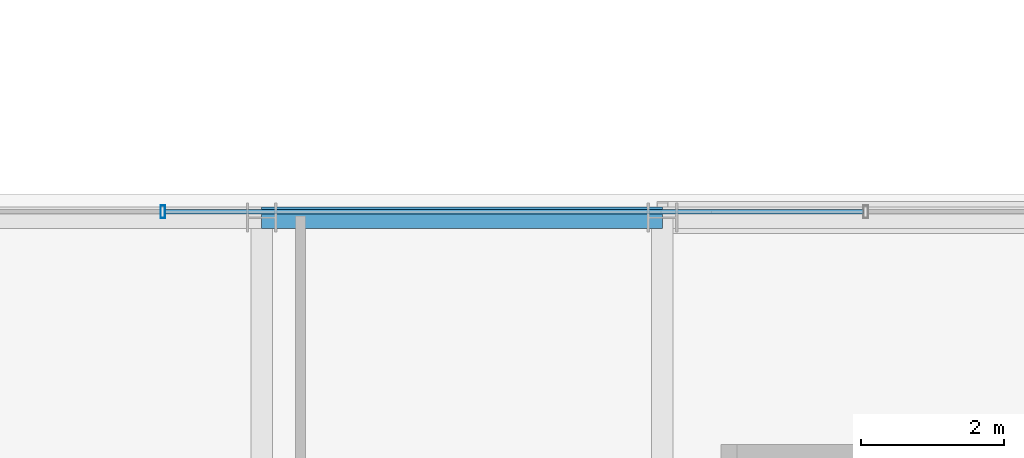
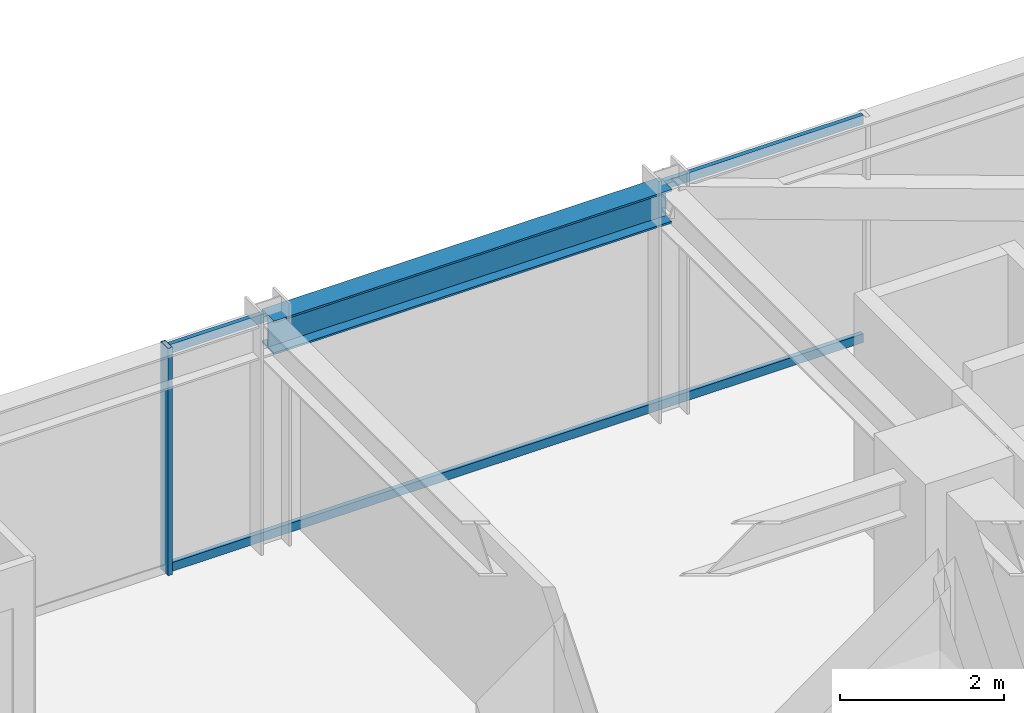
# One storey, part 21 of 34: 3 members, 1 beam, 1 element without a shape of its own.
"""IFC4 building model written with IfcOpenShell, lengths in metres."""

from ifc_helpers import new_model, si_unit, direction, frame, origin, origin_2d, place, context, subcontext, project, spatial, hollow_rectangle, i_section, extrude, source, transform, mapped, material, material_profile, profile_set, type_object, element, aggregate, save


model = new_model("IFC4")

# Units and contexts
model_context = context("Model", 3, precision=1e-05, world=origin(), true_north=direction((0.0, 1.0)))
body_context = subcontext(model_context, "Body", "Model", "MODEL_VIEW")
ifc_project = project(units=[si_unit("LENGTHUNIT", "METRE"), si_unit("AREAUNIT", "SQUARE_METRE"), si_unit("VOLUMEUNIT", "CUBIC_METRE"), si_unit("PLANEANGLEUNIT", "RADIAN"), si_unit("MASSUNIT", "GRAM", prefix="KILO")], contexts=[model_context])

# Site, building, storey
site_placement = place(None, origin())
site = spatial("IfcSite", under=ifc_project, at=site_placement, CompositionType="ELEMENT")
building_placement = place(site_placement, origin())
building = spatial("IfcBuilding", under=site, at=building_placement, Name="Nahalor Promenade Grand Hotel", CompositionType="ELEMENT")
storey_placement = place(building_placement, frame((0.0, 0.0, 128.449951171875)))
storey = spatial("IfcBuildingStorey", under=building, at=storey_placement, Name="L32", CompositionType="ELEMENT", Elevation=128.449951171875)

# Beam
ifc_material_1 = material(Name="Steel S355JR", Category="steel")
ifc_material_profile_1 = material_profile(ifc_material_1, i_section(OverallWidth=0.3, OverallDepth=0.5, WebThickness=0.0145, FlangeThickness=0.028, at=origin_2d()), Name="HEB 500")
ifc_profile_set_1 = profile_set([ifc_material_profile_1], Name="Steel S355JR")
beam_type = type_object("IfcBeamType", Name="Beam-Spandrel-HEB500", PredefinedType="SPANDREL", material=ifc_profile_set_1)
shared_shape_1 = source(origin(), body_context, "Body", "SweptSolid", [
    extrude(i_section(OverallWidth=0.3, OverallDepth=0.5, WebThickness=0.0145, FlangeThickness=0.028, at=origin_2d()), origin(), (0.0, 0.0, 1.0), 5.599853515625),
])
beam_placement = place(storey_placement, frame((2.800048828125, 23.780029296875, 3.130126953125), z_axis=(1.0, 0.0, 0.0), x_axis=(0.0, 1.0, 0.0)))
element("IfcBeam", 1, at=beam_placement, inside=storey, type_object=beam_type, Name="BM-L32-SP-N-3", PredefinedType="SPANDREL", context=body_context, shape_type="MappedRepresentation", body=[
    mapped(shared_shape_1, transform((0.0, 0.0, 0.0), scale=1.0)),
])

# Curtain wall, members
ifc_material_2 = material(Name="Anodised Bronze Aluminium EN AW-6063 T6", Category="aluminium")
curtain_wall_type = type_object("IfcCurtainWallType", Name="CW2 Typical Hotel Flush Bronze Unitised Curtain Wall", PredefinedType="USERDEFINED", material=ifc_material_2)
curtain_wall_placement = place(storey_placement, origin())
curtain_wall = element("IfcCurtainWall", 2, at=curtain_wall_placement, inside=storey, type_object=curtain_wall_type, Name="L32 Curtain Wall CW-L32-N-3", ObjectType="UNITISED_CURTAIN_WALL", PredefinedType="USERDEFINED")
ifc_material_profile_2 = material_profile(ifc_material_2, hollow_rectangle(XDim=0.065, YDim=0.13, WallThickness=0.004, at=origin_2d()), Name="CWT 65x130x4")
ifc_profile_set_2 = profile_set([ifc_material_profile_2], Name="Anodised Bronze Aluminium EN AW-6063 T6")
member_type_1 = type_object("IfcMemberType", Name="CWT2 Typical Bronze Transom 65x130", PredefinedType="USERDEFINED", material=ifc_profile_set_2)
shared_shape_2 = source(origin(), body_context, "Body", "SweptSolid", [
    extrude(hollow_rectangle(XDim=0.065, YDim=0.13, WallThickness=0.004, at=origin_2d()), origin(), (0.0, 0.0, 1.0), 9.755126953125),
])
member_1_placement = place(storey_placement, frame((1.452392578125, 23.860107421875, 0.06494140625), z_axis=(1.0, 0.0, 0.0), x_axis=(0.0, 1.0, 0.0)))
member_1 = element("IfcMember", 3, at=member_1_placement, type_object=member_type_1, Name="CW-L32-N-3 Transom 1-0", ObjectType="TRANSOM", PredefinedType="USERDEFINED", context=body_context, shape_type="MappedRepresentation", body=[
    mapped(shared_shape_2, transform((0.0, 0.0, 0.0), scale=1.0)),
])
member_2_placement = place(storey_placement, frame((1.452392578125, 23.860107421875, 3.31494140625), z_axis=(1.0, 0.0, 0.0), x_axis=(0.0, 1.0, 0.0)))
member_2 = element("IfcMember", 4, at=member_2_placement, type_object=member_type_1, Name="CW-L32-N-3 Transom 1-1", ObjectType="TRANSOM", PredefinedType="USERDEFINED", context=body_context, shape_type="MappedRepresentation", body=[
    mapped(shared_shape_2, transform((0.0, 0.0, 0.0), scale=1.0)),
])
ifc_material_profile_3 = material_profile(ifc_material_2, hollow_rectangle(XDim=0.065, YDim=0.18, WallThickness=0.004, at=origin_2d()), Name="CWM 65x180x4")
ifc_profile_set_3 = profile_set([ifc_material_profile_3], Name="Anodised Bronze Aluminium EN AW-6063 T6")
member_type_2 = type_object("IfcMemberType", Name="CWM2 Typical Bronze Mullion 65x180", PredefinedType="MULLION", material=ifc_profile_set_3)
shared_shape_3 = source(origin(), body_context, "Body", "SweptSolid", [
    extrude(hollow_rectangle(XDim=0.065, YDim=0.18, WallThickness=0.004, at=origin_2d()), origin(), (0.0, 0.0, 1.0), 3.380126953125),
])
member_3_placement = place(storey_placement, frame((1.419921875, 23.860107421875, 0.0), z_axis=(0.0, 0.0, 1.0), x_axis=(1.0, 0.0, 0.0)))
member_3 = element("IfcMember", 5, at=member_3_placement, type_object=member_type_2, Name="CW-L32-N-3 Mullion 1", PredefinedType="MULLION", context=body_context, shape_type="MappedRepresentation", body=[
    mapped(shared_shape_3, transform((0.0, 0.0, 0.0), scale=1.0)),
])
aggregate(curtain_wall, [member_3, member_1, member_2])

save(model, "model.ifc")
